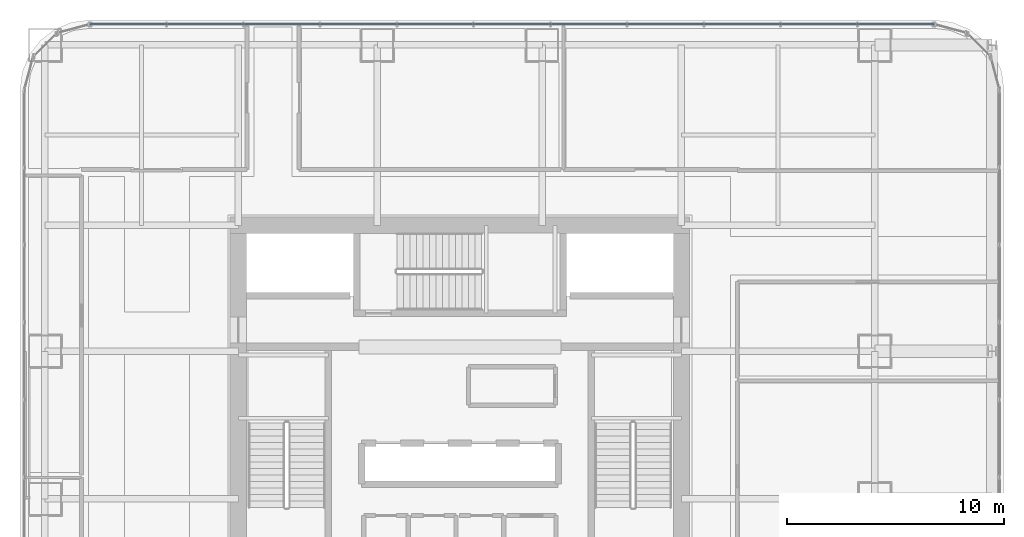
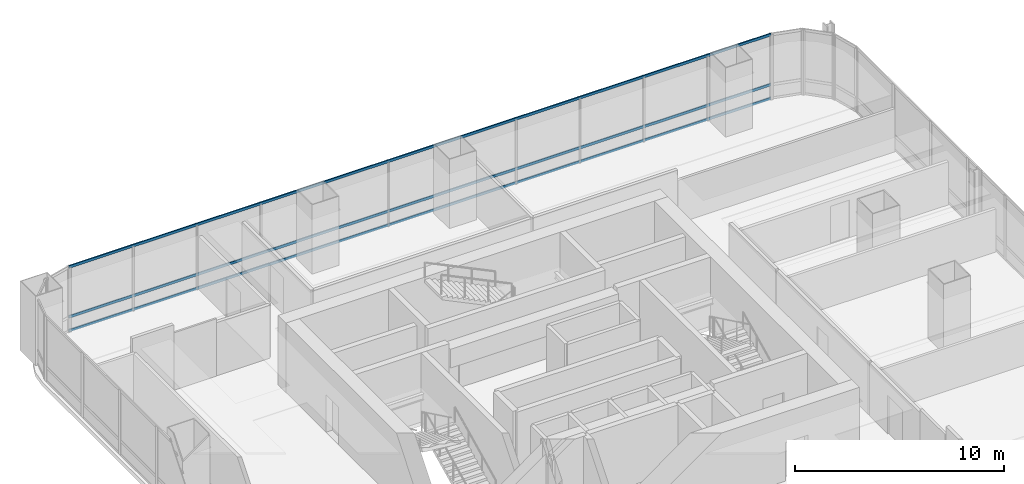
# One storey, part 21 of 35: 3 members, 1 element without a shape of its own.
"""IFC4 building model written with IfcOpenShell, lengths in metres."""

import ifcopenshell
import ifcopenshell.guid

model = None  # the IFC model being written
_history = None  # IfcOwnerHistory: only IFC2X3 demands one
_inside = {}  # id of a spatial element -> (the spatial element, [elements in it])
_under = {}  # id of a project, library or spatial element -> (it, [spatial elements below it])
_declared = {}  # id of a project -> (the project, [libraries it declares])
_typed = {}  # id of a type object -> (the type object, [elements of that type])
_made_of = {}  # id of a material, layer set ... -> (it, [elements and type objects made of it])


def new_model(schema):
    """Start an empty IFC model of exactly this schema.

    Asked for "IFC4X3", IfcOpenShell would pick the latest addendum, in which some entities
    have other attributes; the version numbers below select the first issue.
    IFC2X3 requires an IfcOwnerHistory on every rooted entity: one is made here for all.
    """
    global model, _history
    if schema == "IFC4X3":
        model = ifcopenshell.file(schema_version=(4, 3, 0, 0))
    else:
        model = ifcopenshell.file(schema=schema)
    _inside.clear()
    _under.clear()
    _declared.clear()
    _typed.clear()
    _made_of.clear()
    _history = None
    if model.schema == "IFC2X3":
        org = make("IfcOrganization", Name="unknown")
        user = make(
            "IfcPersonAndOrganization",
            ThePerson=make("IfcPerson", FamilyName="unknown"),
            TheOrganization=org,
        )
        app = make(
            "IfcApplication",
            ApplicationDeveloper=org,
            Version="unknown",
            ApplicationFullName="unknown",
            ApplicationIdentifier="unknown",
        )
        _history = make(
            "IfcOwnerHistory",
            OwningUser=user,
            OwningApplication=app,
            ChangeAction="ADDED",
            CreationDate=0,
        )
    return model


def make(cls, **values):
    """One entity of the class cls with the attributes given. An attribute that is None is left unset."""
    return model.create_entity(
        cls, **{name: value for name, value in values.items() if value is not None}
    )


def rooted(cls, **values):
    """An entity with a GlobalId (a new one), such as an element, a storey or a relation."""
    return make(cls, GlobalId=ifcopenshell.guid.new(), OwnerHistory=_history, **values)


def si_unit(unit_type, name, prefix=None):
    """IfcSIUnit, for example si_unit("LENGTHUNIT", "METRE", prefix="MILLI")."""
    return make("IfcSIUnit", UnitType=unit_type, Prefix=prefix, Name=name)


def assignment(units):
    """IfcUnitAssignment: the units of a project."""
    return None if units is None else make("IfcUnitAssignment", Units=units)


def point(xyz):
    """IfcCartesianPoint."""
    return None if xyz is None else make("IfcCartesianPoint", Coordinates=xyz)


def direction(xyz):
    """IfcDirection."""
    return None if xyz is None else make("IfcDirection", DirectionRatios=xyz)


def frame(location, z_axis=None, x_axis=None):
    """IfcAxis2Placement3D, a coordinate frame: its origin and axes. An axis left out is left unset."""
    return make(
        "IfcAxis2Placement3D",
        Location=point(location),
        Axis=direction(z_axis),
        RefDirection=direction(x_axis),
    )


def frame_2d(location, x_axis=None):
    """IfcAxis2Placement2D, a coordinate frame in the plane: its origin and x axis."""
    return make(
        "IfcAxis2Placement2D", Location=point(location), RefDirection=direction(x_axis)
    )


def origin():
    """The frame at (0, 0, 0) with its axes left unset."""
    return frame((0.0, 0.0, 0.0))


def origin_2d():
    """The frame at (0, 0) in the plane with its x axis left unset."""
    return frame_2d((0.0, 0.0))


def place(relative_to, where):
    """IfcLocalPlacement: puts the frame where relative to a parent placement (None: the world)."""
    return make(
        "IfcLocalPlacement", PlacementRelTo=relative_to, RelativePlacement=where
    )


def context(
    kind, dimensions, precision=None, world=None, true_north=None, identifier=None
):
    """IfcGeometricRepresentationContext, for example the 3D "Model" context."""
    return make(
        "IfcGeometricRepresentationContext",
        ContextIdentifier=identifier,
        ContextType=kind,
        CoordinateSpaceDimension=dimensions,
        Precision=precision,
        WorldCoordinateSystem=world,
        TrueNorth=true_north,
    )


def subcontext(parent, identifier, kind, view, scale=None):
    """IfcGeometricRepresentationSubContext, for example "Body" below "Model"."""
    return make(
        "IfcGeometricRepresentationSubContext",
        ContextIdentifier=identifier,
        ContextType=kind,
        ParentContext=parent,
        TargetScale=scale,
        TargetView=view,
    )


def project(units=None, contexts=None):
    """IfcProject with its units and contexts."""
    return rooted(
        "IfcProject",
        Name="project",
        RepresentationContexts=contexts,
        UnitsInContext=assignment(units),
    )


def spatial(cls, under=None, at=None, **own):
    """A site, building, storey or space (cls), placed at a placement, below another one or the project."""
    s = rooted(cls, ObjectPlacement=at, **own)
    if under is not None:
        _under.setdefault(under.id(), (under, []))[1].append(s)
    return s


def profile(cls, at=None, kind="AREA", **sizes):
    """A parametric profile (cls). Its sizes go by their IFC names, for example OverallWidth=200.0."""
    return make(cls, ProfileType=kind, Position=at, **sizes)


def hollow_rectangle(**sizes):
    """IfcRectangleHollowProfileDef."""
    return profile("IfcRectangleHollowProfileDef", **sizes)


def extrude(swept, where, along, depth):
    """IfcExtrudedAreaSolid: the profile swept, set in the frame where, extruded along a direction by depth."""
    return make(
        "IfcExtrudedAreaSolid",
        SweptArea=swept,
        Position=where,
        ExtrudedDirection=direction(along),
        Depth=depth,
    )


def shape(context_of_items, identifier, shape_type, items):
    """IfcShapeRepresentation: the items that make up one representation, for example the "Body"."""
    return make(
        "IfcShapeRepresentation",
        ContextOfItems=context_of_items,
        RepresentationIdentifier=identifier,
        RepresentationType=shape_type,
        Items=items,
    )


def material(Name=None, Category=None):
    """IfcMaterial."""
    return make("IfcMaterial", Name=Name, Category=Category)


def material_profile(
    of_material, cross_section, Name=None, Category=None, Priority=None
):
    """IfcMaterialProfile: a cross section and its material."""
    return make(
        "IfcMaterialProfile",
        Name=Name,
        Material=of_material,
        Profile=cross_section,
        Priority=Priority,
        Category=Category,
    )


def profile_set(profiles, Name=None, composite=None):
    """IfcMaterialProfileSet."""
    return make(
        "IfcMaterialProfileSet",
        Name=Name,
        MaterialProfiles=profiles,
        CompositeProfile=composite,
    )


def made_of(thing, what):
    """Note that an element or type object is made of a material, layer set ...; save() writes the relation."""
    if what is not None:
        _made_of.setdefault(what.id(), (what, []))[1].append(thing)
    return thing


def type_object(cls, material=None, **own):
    """A type object (cls), such as IfcWallType, which elements share."""
    return made_of(rooted(cls, **own), material)


def element(
    cls,
    number,
    at=None,
    inside=None,
    cuts=None,
    type_object=None,
    material=None,
    context=None,
    identifier="Body",
    shape_type=None,
    held_by="IfcProductDefinitionShape",
    body=None,
    shapes=None,
    **own,
):
    """One element of the class cls, such as IfcWall. Its Tag is "e" and its number.

    at: its placement. inside: the storey or other place that contains it. cuts: it is an
    opening in that element (IfcRelVoidsElement). A single representation is given by context,
    identifier, shape_type and body (its items); several are given by shapes. held_by: the class
    of the entity that holds the representations. save() writes the other relations.
    """
    e = rooted(cls, Tag="e%d" % number, ObjectPlacement=at, **own)
    if body is not None:
        shapes = [shape(context, identifier, shape_type, body)]
    if shapes is not None:
        e.Representation = make(held_by, Representations=shapes)
    if inside is not None:
        _inside.setdefault(inside.id(), (inside, []))[1].append(e)
    if cuts is not None:
        rooted(
            "IfcRelVoidsElement", RelatingBuildingElement=cuts, RelatedOpeningElement=e
        )
    if type_object is not None:
        _typed.setdefault(type_object.id(), (type_object, []))[1].append(e)
    return made_of(e, material)


def aggregate(whole, parts):
    """IfcRelAggregates: a whole, such as a stair, and the parts it consists of."""
    return rooted("IfcRelAggregates", RelatingObject=whole, RelatedObjects=parts)


def save(model, path):
    """Write the relations noted so far, then the file.

    IfcRelAggregates (storeys below a building ...), IfcRelContainedInSpatialStructure (elements
    in a storey), IfcRelDefinesByType, IfcRelAssociatesMaterial and IfcRelDeclares: one each for
    every whole, place, type object, material and project.
    """
    for whole, parts in _under.values():
        aggregate(whole, parts)
    for where, things in _inside.values():
        rooted(
            "IfcRelContainedInSpatialStructure",
            RelatedElements=things,
            RelatingStructure=where,
        )
    for kind, things in _typed.values():
        rooted("IfcRelDefinesByType", RelatedObjects=things, RelatingType=kind)
    for what, things in _made_of.values():
        rooted("IfcRelAssociatesMaterial", RelatedObjects=things, RelatingMaterial=what)
    for by, libraries in _declared.values():
        rooted("IfcRelDeclares", RelatingContext=by, RelatedDefinitions=libraries)
    model.write(path)


model = new_model("IFC4")

# Units and contexts
model_context = context("Model", 3, precision=1e-05, world=origin(), true_north=direction((0.0, 1.0)))
body_context = subcontext(model_context, "Body", "Model", "MODEL_VIEW")
ifc_project = project(units=[si_unit("LENGTHUNIT", "METRE"), si_unit("AREAUNIT", "SQUARE_METRE"), si_unit("VOLUMEUNIT", "CUBIC_METRE"), si_unit("PLANEANGLEUNIT", "RADIAN"), si_unit("MASSUNIT", "GRAM", prefix="KILO")], contexts=[model_context])

# Site, building, storey
site_placement = place(None, origin())
site = spatial("IfcSite", under=ifc_project, at=site_placement, CompositionType="ELEMENT")
building_placement = place(site_placement, origin())
building = spatial("IfcBuilding", under=site, at=building_placement, Name="Punatoya Terracotta Tower", CompositionType="ELEMENT")
storey_placement = place(building_placement, frame((0.0, 0.0, 68.699951171875)))
storey = spatial("IfcBuildingStorey", under=building, at=storey_placement, Name="L15", CompositionType="ELEMENT", Elevation=68.699951171875)

# Curtain wall, members
ifc_material_1 = material(Name="Aluminium 6063-T6 + Double Low-E Glass", Category="aluminium")
curtain_wall_type = type_object("IfcCurtainWallType", Name="CW-M1", PredefinedType="NOTDEFINED", material=ifc_material_1)
curtain_wall_placement = place(storey_placement, origin())
curtain_wall = element("IfcCurtainWall", 1, at=curtain_wall_placement, inside=storey, type_object=curtain_wall_type, Name="L15 Curtain Wall CW-L15-N09-1", PredefinedType="NOTDEFINED")
ifc_material_2 = material(Name="Aluminium 6063-T6", Category="aluminium")
ifc_material_profile = material_profile(ifc_material_2, hollow_rectangle(XDim=0.068115234375, YDim=0.14990234375, WallThickness=0.00390625, at=origin_2d()))
ifc_profile_set = profile_set([ifc_material_profile], Name="Aluminium 6063-T6")
member_type = type_object("IfcMemberType", Name="CW-TRN-TYP", PredefinedType="USERDEFINED", material=ifc_profile_set)
member_1_placement = place(storey_placement, frame((21.8369140625, 18.449951171875, 0.0400390625), z_axis=(-1.0, 0.0, 0.0), x_axis=(0.0, -1.0, 0.0)))
member_1 = element("IfcMember", 2, at=member_1_placement, type_object=member_type, Name="CW-L15-N09-1 Transom 1", ObjectType="TRANSOM", PredefinedType="USERDEFINED", context=body_context, shape_type="SweptSolid", body=[
    extrude(hollow_rectangle(XDim=0.068115234375, YDim=0.14990234375, WallThickness=0.00390625, at=origin_2d()), origin(), (0.0, 0.0, 1.0), 38.873779296875),
])
member_2_placement = place(storey_placement, frame((21.8369140625, 18.449951171875, 0.85009765625), z_axis=(-1.0, 0.0, 0.0), x_axis=(0.0, -1.0, 0.0)))
member_2 = element("IfcMember", 3, at=member_2_placement, type_object=member_type, Name="CW-L15-N09-1 Transom 2", ObjectType="TRANSOM", PredefinedType="USERDEFINED", context=body_context, shape_type="SweptSolid", body=[
    extrude(hollow_rectangle(XDim=0.068115234375, YDim=0.14990234375, WallThickness=0.00390625, at=origin_2d()), origin(), (0.0, 0.0, 1.0), 38.873779296875),
])
member_3_placement = place(storey_placement, frame((21.8369140625, 18.449951171875, 3.77001953125), z_axis=(-1.0, 0.0, 0.0), x_axis=(0.0, -1.0, 0.0)))
member_3 = element("IfcMember", 4, at=member_3_placement, type_object=member_type, Name="CW-L15-N09-1 Transom 3", ObjectType="TRANSOM", PredefinedType="USERDEFINED", context=body_context, shape_type="SweptSolid", body=[
    extrude(hollow_rectangle(XDim=0.068115234375, YDim=0.14990234375, WallThickness=0.00390625, at=origin_2d()), origin(), (0.0, 0.0, 1.0), 38.873779296875),
])
aggregate(curtain_wall, [member_1, member_2, member_3])

save(model, "model.ifc")
